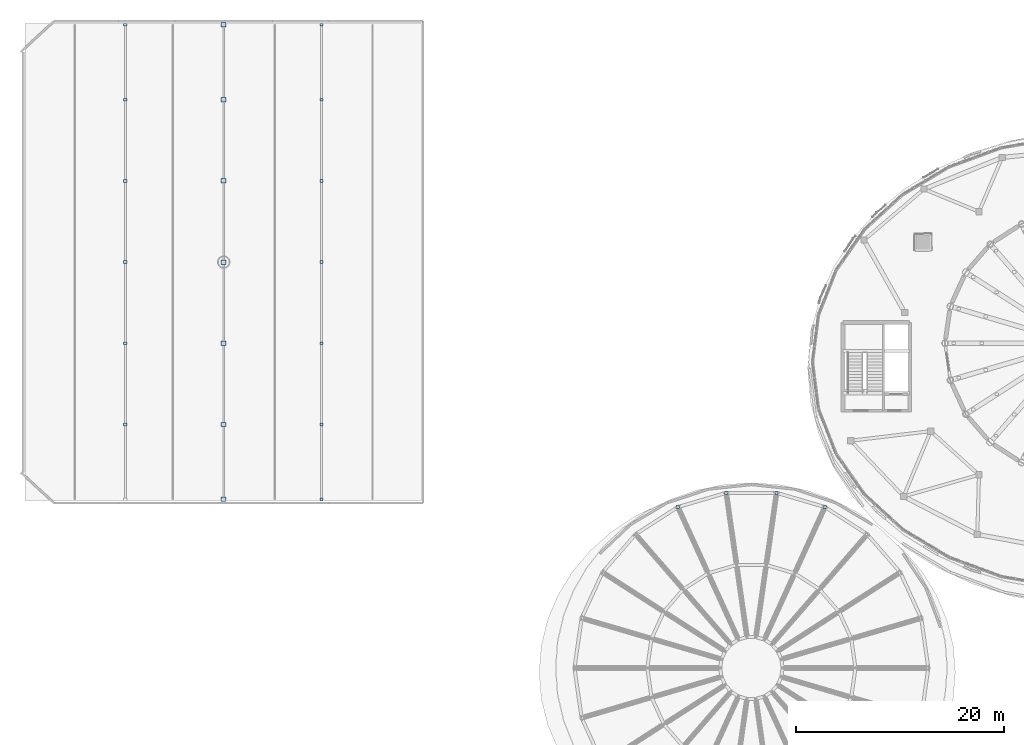
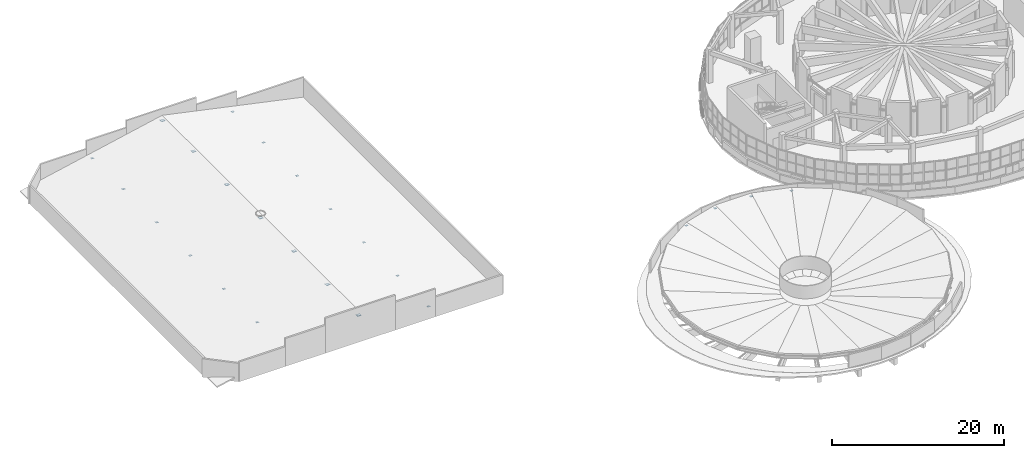
# One storey, part 54 of 69: 24 plates.
"""IFC4 building model written with IfcOpenShell, lengths in metres."""

import ifcopenshell
import ifcopenshell.guid

model = None  # the IFC model being written
_history = None  # IfcOwnerHistory: only IFC2X3 demands one
_inside = {}  # id of a spatial element -> (the spatial element, [elements in it])
_under = {}  # id of a project, library or spatial element -> (it, [spatial elements below it])
_declared = {}  # id of a project -> (the project, [libraries it declares])
_typed = {}  # id of a type object -> (the type object, [elements of that type])
_made_of = {}  # id of a material, layer set ... -> (it, [elements and type objects made of it])


def new_model(schema):
    """Start an empty IFC model of exactly this schema.

    Asked for "IFC4X3", IfcOpenShell would pick the latest addendum, in which some entities
    have other attributes; the version numbers below select the first issue.
    IFC2X3 requires an IfcOwnerHistory on every rooted entity: one is made here for all.
    """
    global model, _history
    if schema == "IFC4X3":
        model = ifcopenshell.file(schema_version=(4, 3, 0, 0))
    else:
        model = ifcopenshell.file(schema=schema)
    _inside.clear()
    _under.clear()
    _declared.clear()
    _typed.clear()
    _made_of.clear()
    _history = None
    if model.schema == "IFC2X3":
        org = make("IfcOrganization", Name="unknown")
        user = make(
            "IfcPersonAndOrganization",
            ThePerson=make("IfcPerson", FamilyName="unknown"),
            TheOrganization=org,
        )
        app = make(
            "IfcApplication",
            ApplicationDeveloper=org,
            Version="unknown",
            ApplicationFullName="unknown",
            ApplicationIdentifier="unknown",
        )
        _history = make(
            "IfcOwnerHistory",
            OwningUser=user,
            OwningApplication=app,
            ChangeAction="ADDED",
            CreationDate=0,
        )
    return model


def make(cls, **values):
    """One entity of the class cls with the attributes given. An attribute that is None is left unset."""
    return model.create_entity(
        cls, **{name: value for name, value in values.items() if value is not None}
    )


def rooted(cls, **values):
    """An entity with a GlobalId (a new one), such as an element, a storey or a relation."""
    return make(cls, GlobalId=ifcopenshell.guid.new(), OwnerHistory=_history, **values)


def si_unit(unit_type, name, prefix=None):
    """IfcSIUnit, for example si_unit("LENGTHUNIT", "METRE", prefix="MILLI")."""
    return make("IfcSIUnit", UnitType=unit_type, Prefix=prefix, Name=name)


def assignment(units):
    """IfcUnitAssignment: the units of a project."""
    return None if units is None else make("IfcUnitAssignment", Units=units)


def point(xyz):
    """IfcCartesianPoint."""
    return None if xyz is None else make("IfcCartesianPoint", Coordinates=xyz)


def direction(xyz):
    """IfcDirection."""
    return None if xyz is None else make("IfcDirection", DirectionRatios=xyz)


def frame(location, z_axis=None, x_axis=None):
    """IfcAxis2Placement3D, a coordinate frame: its origin and axes. An axis left out is left unset."""
    return make(
        "IfcAxis2Placement3D",
        Location=point(location),
        Axis=direction(z_axis),
        RefDirection=direction(x_axis),
    )


def frame_2d(location, x_axis=None):
    """IfcAxis2Placement2D, a coordinate frame in the plane: its origin and x axis."""
    return make(
        "IfcAxis2Placement2D", Location=point(location), RefDirection=direction(x_axis)
    )


def origin():
    """The frame at (0, 0, 0) with its axes left unset."""
    return frame((0.0, 0.0, 0.0))


def origin_2d():
    """The frame at (0, 0) in the plane with its x axis left unset."""
    return frame_2d((0.0, 0.0))


def place(relative_to, where):
    """IfcLocalPlacement: puts the frame where relative to a parent placement (None: the world)."""
    return make(
        "IfcLocalPlacement", PlacementRelTo=relative_to, RelativePlacement=where
    )


def context(
    kind, dimensions, precision=None, world=None, true_north=None, identifier=None
):
    """IfcGeometricRepresentationContext, for example the 3D "Model" context."""
    return make(
        "IfcGeometricRepresentationContext",
        ContextIdentifier=identifier,
        ContextType=kind,
        CoordinateSpaceDimension=dimensions,
        Precision=precision,
        WorldCoordinateSystem=world,
        TrueNorth=true_north,
    )


def subcontext(parent, identifier, kind, view, scale=None):
    """IfcGeometricRepresentationSubContext, for example "Body" below "Model"."""
    return make(
        "IfcGeometricRepresentationSubContext",
        ContextIdentifier=identifier,
        ContextType=kind,
        ParentContext=parent,
        TargetScale=scale,
        TargetView=view,
    )


def project(units=None, contexts=None):
    """IfcProject with its units and contexts."""
    return rooted(
        "IfcProject",
        Name="project",
        RepresentationContexts=contexts,
        UnitsInContext=assignment(units),
    )


def spatial(cls, under=None, at=None, **own):
    """A site, building, storey or space (cls), placed at a placement, below another one or the project."""
    s = rooted(cls, ObjectPlacement=at, **own)
    if under is not None:
        _under.setdefault(under.id(), (under, []))[1].append(s)
    return s


def profile(cls, at=None, kind="AREA", **sizes):
    """A parametric profile (cls). Its sizes go by their IFC names, for example OverallWidth=200.0."""
    return make(cls, ProfileType=kind, Position=at, **sizes)


def rectangle(**sizes):
    """IfcRectangleProfileDef."""
    return profile("IfcRectangleProfileDef", **sizes)


def extrude(swept, where, along, depth):
    """IfcExtrudedAreaSolid: the profile swept, set in the frame where, extruded along a direction by depth."""
    return make(
        "IfcExtrudedAreaSolid",
        SweptArea=swept,
        Position=where,
        ExtrudedDirection=direction(along),
        Depth=depth,
    )


def shape(context_of_items, identifier, shape_type, items):
    """IfcShapeRepresentation: the items that make up one representation, for example the "Body"."""
    return make(
        "IfcShapeRepresentation",
        ContextOfItems=context_of_items,
        RepresentationIdentifier=identifier,
        RepresentationType=shape_type,
        Items=items,
    )


def material(Name=None, Category=None):
    """IfcMaterial."""
    return make("IfcMaterial", Name=Name, Category=Category)


def layer(
    of_material, thickness, ventilated=None, Name=None, Category=None, Priority=None
):
    """IfcMaterialLayer: one layer of a wall or slab, of a material (None: an air gap)."""
    return make(
        "IfcMaterialLayer",
        Material=of_material,
        LayerThickness=thickness,
        IsVentilated=ventilated,
        Name=Name,
        Category=Category,
        Priority=Priority,
    )


def layer_set(layers, Name=None):
    """IfcMaterialLayerSet."""
    return make("IfcMaterialLayerSet", MaterialLayers=layers, LayerSetName=Name)


def made_of(thing, what):
    """Note that an element or type object is made of a material, layer set ...; save() writes the relation."""
    if what is not None:
        _made_of.setdefault(what.id(), (what, []))[1].append(thing)
    return thing


def type_object(cls, material=None, **own):
    """A type object (cls), such as IfcWallType, which elements share."""
    return made_of(rooted(cls, **own), material)


def element(
    cls,
    number,
    at=None,
    inside=None,
    cuts=None,
    type_object=None,
    material=None,
    context=None,
    identifier="Body",
    shape_type=None,
    held_by="IfcProductDefinitionShape",
    body=None,
    shapes=None,
    **own,
):
    """One element of the class cls, such as IfcWall. Its Tag is "e" and its number.

    at: its placement. inside: the storey or other place that contains it. cuts: it is an
    opening in that element (IfcRelVoidsElement). A single representation is given by context,
    identifier, shape_type and body (its items); several are given by shapes. held_by: the class
    of the entity that holds the representations. save() writes the other relations.
    """
    e = rooted(cls, Tag="e%d" % number, ObjectPlacement=at, **own)
    if body is not None:
        shapes = [shape(context, identifier, shape_type, body)]
    if shapes is not None:
        e.Representation = make(held_by, Representations=shapes)
    if inside is not None:
        _inside.setdefault(inside.id(), (inside, []))[1].append(e)
    if cuts is not None:
        rooted(
            "IfcRelVoidsElement", RelatingBuildingElement=cuts, RelatedOpeningElement=e
        )
    if type_object is not None:
        _typed.setdefault(type_object.id(), (type_object, []))[1].append(e)
    return made_of(e, material)


def aggregate(whole, parts):
    """IfcRelAggregates: a whole, such as a stair, and the parts it consists of."""
    return rooted("IfcRelAggregates", RelatingObject=whole, RelatedObjects=parts)


def save(model, path):
    """Write the relations noted so far, then the file.

    IfcRelAggregates (storeys below a building ...), IfcRelContainedInSpatialStructure (elements
    in a storey), IfcRelDefinesByType, IfcRelAssociatesMaterial and IfcRelDeclares: one each for
    every whole, place, type object, material and project.
    """
    for whole, parts in _under.values():
        aggregate(whole, parts)
    for where, things in _inside.values():
        rooted(
            "IfcRelContainedInSpatialStructure",
            RelatedElements=things,
            RelatingStructure=where,
        )
    for kind, things in _typed.values():
        rooted("IfcRelDefinesByType", RelatedObjects=things, RelatingType=kind)
    for what, things in _made_of.values():
        rooted("IfcRelAssociatesMaterial", RelatedObjects=things, RelatingMaterial=what)
    for by, libraries in _declared.values():
        rooted("IfcRelDeclares", RelatingContext=by, RelatedDefinitions=libraries)
    model.write(path)


model = new_model("IFC4")

# Units and contexts
model_context = context("Model", 3, precision=1e-05, world=origin(), true_north=direction((0.0, 1.0)))
body_context = subcontext(model_context, "Body", "Model", "MODEL_VIEW")
ifc_project = project(units=[si_unit("LENGTHUNIT", "METRE"), si_unit("AREAUNIT", "SQUARE_METRE"), si_unit("VOLUMEUNIT", "CUBIC_METRE"), si_unit("PLANEANGLEUNIT", "RADIAN"), si_unit("MASSUNIT", "GRAM", prefix="KILO")], contexts=[model_context])

# Site, building, storey
site_placement = place(None, origin())
site = spatial("IfcSite", under=ifc_project, at=site_placement, CompositionType="ELEMENT")
building_placement = place(site_placement, origin())
building = spatial("IfcBuilding", under=site, at=building_placement, Name="Pelvatis Terrace Science Centre", CompositionType="ELEMENT")
storey_placement = place(building_placement, frame((0.0, 0.0, 15.0)))
storey = spatial("IfcBuildingStorey", under=building, at=storey_placement, Name="L03", CompositionType="ELEMENT", Elevation=15.0)

# Plates
ifc_material_1 = material(Name="Structural steel S355", Category="steel")
ifc_layer_1 = layer(ifc_material_1, 0.01611328125)
ifc_layer_set_1 = layer_set([ifc_layer_1], Name="Structural steel S355")
plate_type_1 = type_object("IfcPlateType", Name="PLT-GUS-320x280x16", PredefinedType="USERDEFINED", material=ifc_layer_set_1)
for number, where, z_axis, x_axis, name in (
    (1, (85.06201171875, 70.063720703125, 1.391845703125), (0.0, 0.0, 1.0), (1.0, 0.0, 0.0), "Brace and strut end connection gusset plate 045"),
    (2, (80.41943359375, 71.427001953125, 1.391845703125), (0.0, 0.0, 1.0), (1.0, 0.0, 0.0), "Brace and strut end connection gusset plate 050"),
    (3, (75.58056640625, 71.427001953125, 1.391845703125), (0.0, 0.0, 1.0), (1.0, 0.0, 0.0), "Brace and strut end connection gusset plate 055"),
    (4, (70.93798828125, 70.063720703125, 1.391845703125), (0.0, 0.0, 1.0), (1.0, 0.0, 0.0), "Brace and strut end connection gusset plate 060"),
    (5, (36.699951171875, 70.800048828125, 1.44189453125), (0.0, 0.0, 1.0), (1.0, 0.0, 0.0), "Brace and strut end connection gusset plate 137"),
    (6, (17.85009765625, 78.0, 1.44189453125), (0.0, 0.0, 1.0), (1.0, 0.0, 0.0), "Brace and strut end connection gusset plate 142"),
    (7, (36.699951171875, 78.0, 1.44189453125), (0.0, 0.0, 1.0), (1.0, 0.0, 0.0), "Brace and strut end connection gusset plate 144"),
    (8, (17.85009765625, 85.800048828125, 1.44189453125), (0.0, 0.0, 1.0), (1.0, 0.0, 0.0), "Brace and strut end connection gusset plate 149"),
    (9, (36.699951171875, 85.800048828125, 1.44189453125), (0.0, 0.0, 1.0), (1.0, 0.0, 0.0), "Brace and strut end connection gusset plate 151"),
    (10, (17.85009765625, 93.60009765625, 1.44189453125), (0.0, 0.0, 1.0), (1.0, 0.0, 0.0), "Brace and strut end connection gusset plate 156"),
    (11, (36.699951171875, 93.60009765625, 1.44189453125), (0.0, 0.0, 1.0), (1.0, 0.0, 0.0), "Brace and strut end connection gusset plate 158"),
    (12, (17.85009765625, 101.39990234375, 1.44189453125), (0.0, 0.0, 1.0), (1.0, 0.0, 0.0), "Brace and strut end connection gusset plate 163"),
    (13, (36.699951171875, 101.39990234375, 1.44189453125), (0.0, 0.0, 1.0), (1.0, 0.0, 0.0), "Brace and strut end connection gusset plate 165"),
    (14, (17.85009765625, 109.199951171875, 1.44189453125), (0.0, 0.0, 1.0), (1.0, 0.0, 0.0), "Brace and strut end connection gusset plate 170"),
    (15, (36.699951171875, 109.199951171875, 1.44189453125), (0.0, 0.0, 1.0), (1.0, 0.0, 0.0), "Brace and strut end connection gusset plate 172"),
    (16, (17.85009765625, 116.39990234375, 1.44189453125), (0.0, 0.0, 1.0), (1.0, 0.0, 0.0), "Brace and strut end connection gusset plate 177"),
    (17, (36.699951171875, 116.39990234375, 1.44189453125), (0.0, 0.0, 1.0), (1.0, 0.0, 0.0), "Brace and strut end connection gusset plate 179"),
):
    element("IfcPlate", number, at=place(storey_placement, frame(where, z_axis=z_axis, x_axis=x_axis)), inside=storey, type_object=plate_type_1, Name=name, ObjectType="GUSSET", PredefinedType="USERDEFINED", context=body_context, shape_type="SweptSolid", body=[
        extrude(rectangle(XDim=0.320068359375, YDim=0.280029296875, at=origin_2d()), origin(), (0.0, 0.0, 1.0), 0.01611328125),
    ])
ifc_material_2 = material(Name="Structural steel S355", Category="steel")
ifc_layer_2 = layer(ifc_material_2, 0.02490234375)
ifc_layer_set_2 = layer_set([ifc_layer_2], Name="Structural steel S355")
plate_type_2 = type_object("IfcPlateType", Name="PLT-GUS-480x420x25", PredefinedType="USERDEFINED", material=ifc_layer_set_2)
for number, where, z_axis, x_axis, name in (
    (18, (27.300048828125, 70.800048828125, 3.487548828125), (0.0, 0.0, 1.0), (1.0, 0.0, 0.0), "Theatre ridge gusset plate 1"),
    (19, (27.300048828125, 78.0, 3.487548828125), (0.0, 0.0, 1.0), (1.0, 0.0, 0.0), "Theatre ridge gusset plate 2"),
    (20, (27.300048828125, 85.800048828125, 3.487548828125), (0.0, 0.0, 1.0), (1.0, 0.0, 0.0), "Theatre ridge gusset plate 3"),
    (21, (27.300048828125, 93.60009765625, 3.487548828125), (0.0, 0.0, 1.0), (1.0, 0.0, 0.0), "Theatre ridge gusset plate 4"),
    (22, (27.300048828125, 101.39990234375, 3.487548828125), (0.0, 0.0, 1.0), (1.0, 0.0, 0.0), "Theatre ridge gusset plate 5"),
    (23, (27.300048828125, 109.199951171875, 3.487548828125), (0.0, 0.0, 1.0), (1.0, 0.0, 0.0), "Theatre ridge gusset plate 6"),
    (24, (27.300048828125, 116.39990234375, 3.487548828125), (0.0, 0.0, 1.0), (1.0, 0.0, 0.0), "Theatre ridge gusset plate 7"),
):
    element("IfcPlate", number, at=place(storey_placement, frame(where, z_axis=z_axis, x_axis=x_axis)), inside=storey, type_object=plate_type_2, Name=name, ObjectType="GUSSET", PredefinedType="USERDEFINED", context=body_context, shape_type="SweptSolid", body=[
        extrude(rectangle(XDim=0.47998046875, YDim=0.419921875, at=origin_2d()), origin(), (0.0, 0.0, 1.0), 0.02490234375),
    ])

save(model, "model.ifc")
